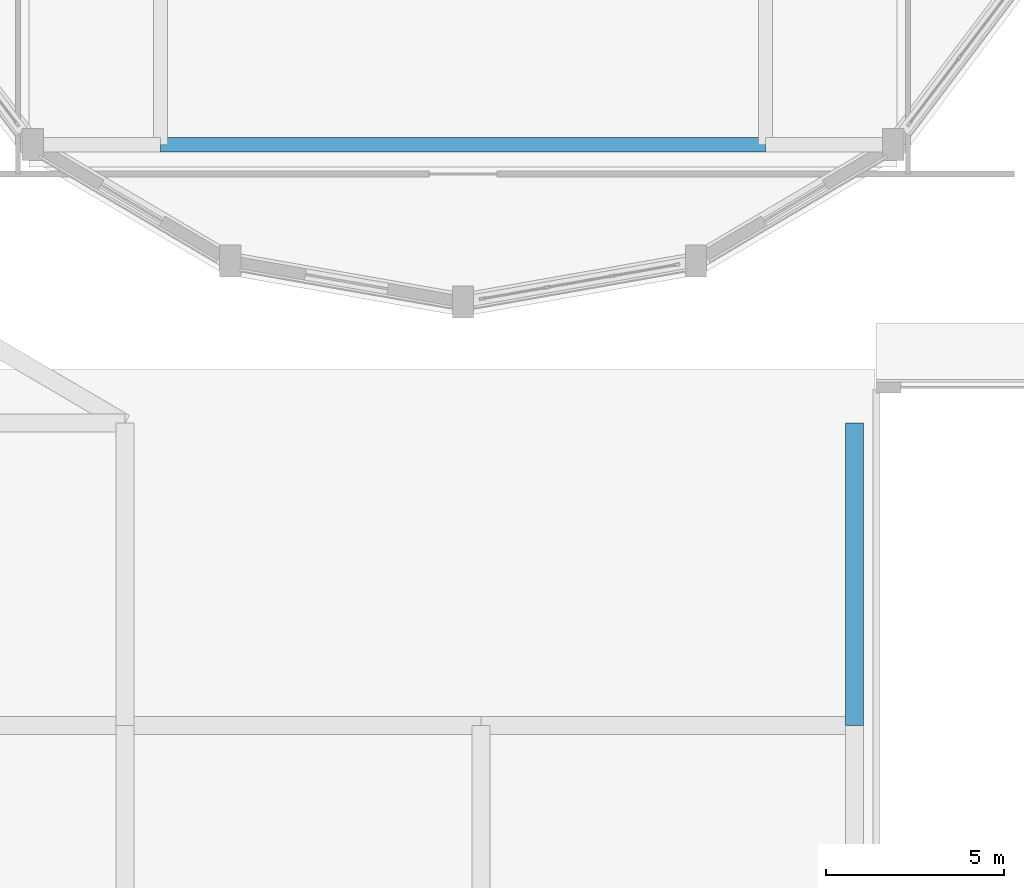
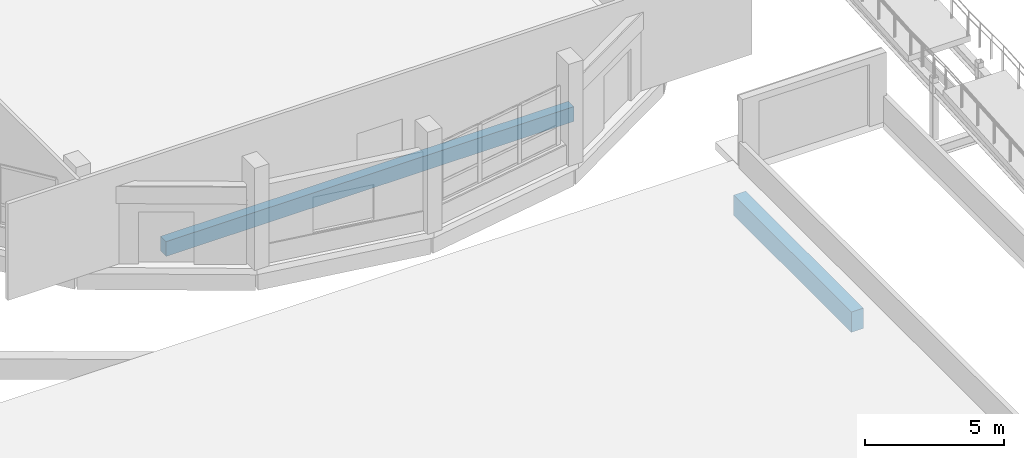
# One storey, part 89 of 129: 2 beams.
"""IFC4 building model written with IfcOpenShell, lengths in metres."""

from ifc_helpers import new_model, si_unit, direction, frame, origin, origin_2d, place, context, subcontext, project, spatial, rectangle, extrude, material, material_profile, profile_set, type_object, element, save


model = new_model("IFC4")

# Units and contexts
model_context = context("Model", 3, precision=1e-05, world=origin(), true_north=direction((0.0, 1.0)))
body_context = subcontext(model_context, "Body", "Model", "MODEL_VIEW")
ifc_project = project(units=[si_unit("LENGTHUNIT", "METRE"), si_unit("AREAUNIT", "SQUARE_METRE"), si_unit("VOLUMEUNIT", "CUBIC_METRE"), si_unit("PLANEANGLEUNIT", "RADIAN"), si_unit("MASSUNIT", "GRAM", prefix="KILO")], contexts=[model_context])

# Site, building, storey
site_placement = place(None, origin())
site = spatial("IfcSite", under=ifc_project, at=site_placement, CompositionType="ELEMENT")
building_placement = place(site_placement, origin())
building = spatial("IfcBuilding", under=site, at=building_placement, Name="Vespera Passage Community Centre", CompositionType="ELEMENT")
storey_placement = place(building_placement, origin())
storey = spatial("IfcBuildingStorey", under=building, at=storey_placement, Name="L00", CompositionType="ELEMENT", Elevation=0.0)

# Beams
ifc_material_1 = material(Name="Concrete f'c 35 MPa", Category="concrete")
ifc_material_profile_1 = material_profile(ifc_material_1, rectangle(XDim=0.39990234375, YDim=0.64990234375, at=origin_2d()), Name="RC400X650")
ifc_profile_set_1 = profile_set([ifc_material_profile_1], Name="Concrete f'c 35 MPa")
beam_type_1 = type_object("IfcBeamType", Name="BM-G-400X650", PredefinedType="BEAM", material=ifc_profile_set_1)
beam_1_placement = place(storey_placement, frame((134.5, 78.82275390625, -0.60498046875), z_axis=(1.0, 0.0, 0.0), x_axis=(0.0, 1.0, 0.0)))
element("IfcBeam", 1, at=beam_1_placement, inside=storey, type_object=beam_type_1, Name="V2 L00 Court Girder 1.2", PredefinedType="BEAM", context=body_context, shape_type="SweptSolid", body=[
    extrude(rectangle(XDim=0.39990234375, YDim=0.64990234375, at=origin_2d()), origin(), (0.0, 0.0, 1.0), 17.0),
])
ifc_material_2 = material(Name="Concrete f'c 45 MPa", Category="concrete")
ifc_material_profile_2 = material_profile(ifc_material_2, rectangle(XDim=0.5, YDim=0.89990234375, at=origin_2d()), Name="RC500X900")
ifc_profile_set_2 = profile_set([ifc_material_profile_2], Name="Concrete f'c 45 MPa")
beam_type_2 = type_object("IfcBeamType", Name="BM-G-500X900", PredefinedType="BEAM", material=ifc_profile_set_2)
beam_2_placement = place(storey_placement, frame((154.0, 62.5, -0.7900390625), z_axis=(0.0, 1.0, 0.0), x_axis=(-1.0, 0.0, 0.0)))
element("IfcBeam", 2, at=beam_2_placement, inside=storey, type_object=beam_type_2, Name="B1 Car Park Deck Girder GAR-C43-GAR-C44", PredefinedType="BEAM", context=body_context, shape_type="SweptSolid", body=[
    extrude(rectangle(XDim=0.5, YDim=0.89990234375, at=origin_2d()), origin(), (0.0, 0.0, 1.0), 8.5),
])

save(model, "model.ifc")
